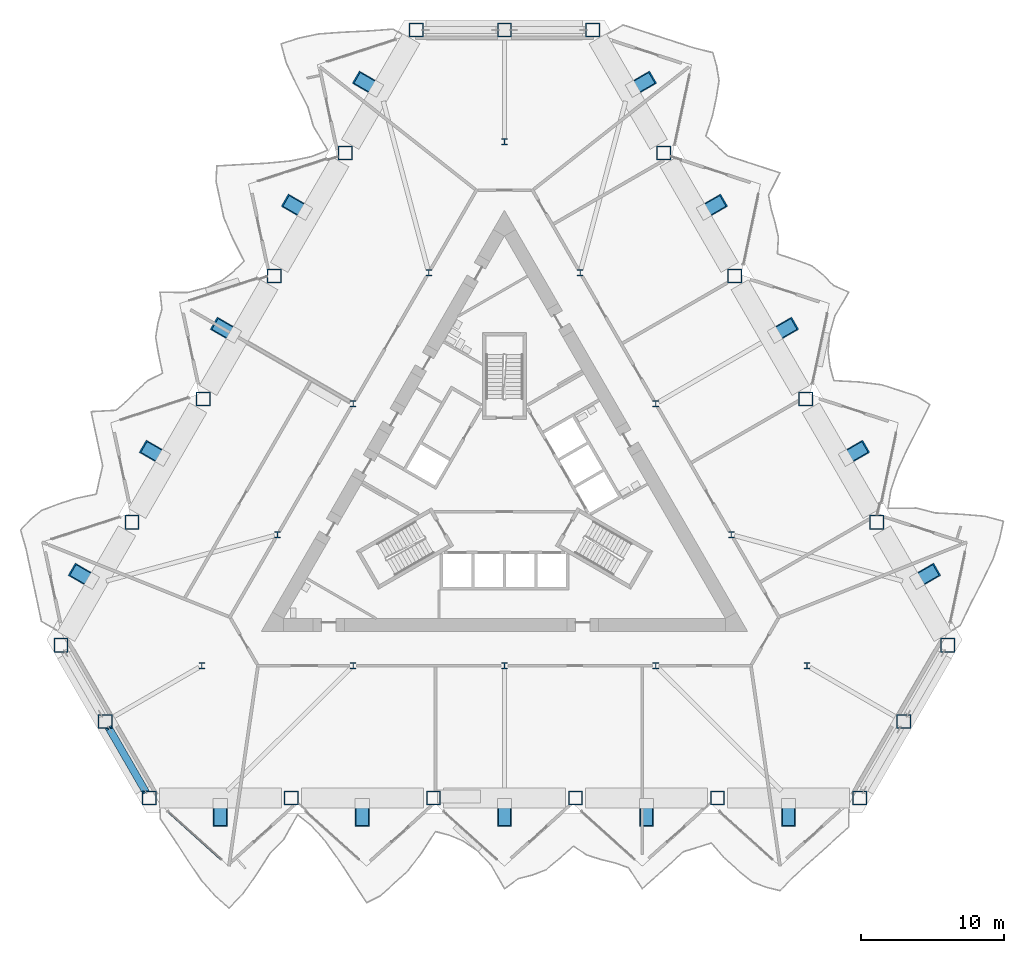
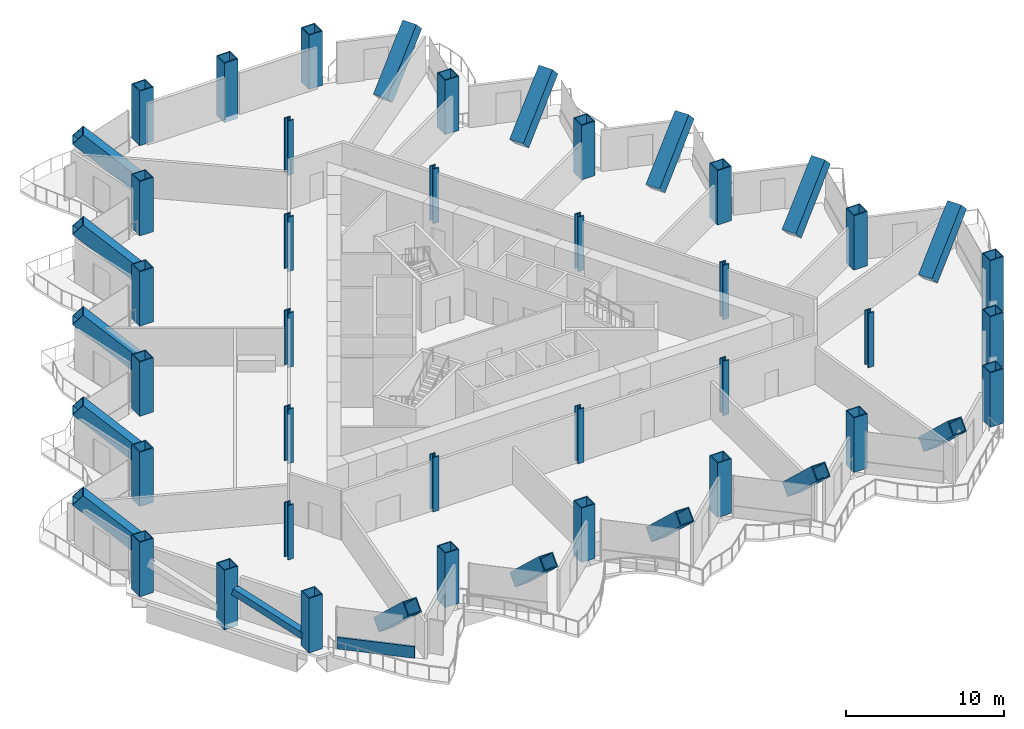
# One storey, part 1 of 22: 48 columns, 2 members, 1 element without a shape of its own.
"""IFC4 building model written with IfcOpenShell, lengths in metres."""

from ifc_helpers import new_model, si_unit, direction, frame, origin, origin_2d, place, context, subcontext, project, spatial, rectangle, hollow_rectangle, i_section, extrude, material, layer, layer_set, material_profile, profile_set, type_object, element, aggregate, save


model = new_model("IFC4")

# Units and contexts
model_context = context("Model", 3, precision=1e-05, world=origin(), true_north=direction((0.0, 1.0)))
body_context = subcontext(model_context, "Body", "Model", "MODEL_VIEW")
ifc_project = project(units=[si_unit("LENGTHUNIT", "METRE"), si_unit("AREAUNIT", "SQUARE_METRE"), si_unit("VOLUMEUNIT", "CUBIC_METRE"), si_unit("PLANEANGLEUNIT", "RADIAN"), si_unit("MASSUNIT", "GRAM", prefix="KILO")], contexts=[model_context])

# Site, building, storey
site_placement = place(None, origin())
site = spatial("IfcSite", under=ifc_project, at=site_placement, CompositionType="ELEMENT")
building_placement = place(site_placement, origin())
building = spatial("IfcBuilding", under=site, at=building_placement, Name="Cormorant Prow Tower", CompositionType="ELEMENT")
storey_placement = place(building_placement, frame((0.0, 0.0, 30.0)))
storey = spatial("IfcBuildingStorey", under=building, at=storey_placement, Name="L05", CompositionType="ELEMENT", Elevation=30.0)

# Columns
ifc_material_1 = material(Name="Structural steel ASTM A572 Gr 50", Category="steel")
ifc_material_profile_1 = material_profile(ifc_material_1, hollow_rectangle(XDim=1.0, YDim=1.0, WallThickness=0.070068359375, at=origin_2d()), Name="Box 1000x1000x70")
ifc_profile_set_1 = profile_set([ifc_material_profile_1], Name="Structural steel ASTM A572 Gr 50")
column_type_1 = type_object("IfcColumnType", Name="Perimeter box column 1000x1000x70", PredefinedType="COLUMN", material=ifc_profile_set_1)
column_1_placement = place(storey_placement, frame((-24.830322265625, -21.4599609375, 0.0), z_axis=(0.0, 0.0, 1.0), x_axis=(1.0, 0.0, 0.0)))
element("IfcColumn", 1, at=column_1_placement, inside=storey, type_object=column_type_1, Name="Perimeter column C2 at S00 L05", PredefinedType="COLUMN", context=body_context, shape_type="SweptSolid", body=[
    extrude(hollow_rectangle(XDim=1.0, YDim=1.0, WallThickness=0.070068359375, at=origin_2d()), origin(), (0.0, 0.0, 1.0), 4.199951171875),
])
column_2_placement = place(storey_placement, frame((-19.8642578125, -21.4599609375, 0.0), z_axis=(0.0, -0.728887790527, 0.684633178293), x_axis=(1.0, 0.0, 0.0)))
element("IfcColumn", 2, at=column_2_placement, inside=storey, type_object=column_type_1, Name="Perimeter column C2 at S01 L05", PredefinedType="COLUMN", context=body_context, shape_type="SweptSolid", body=[
    extrude(hollow_rectangle(XDim=1.0, YDim=1.0, WallThickness=0.070068359375, at=origin_2d()), frame((0.0, 0.0, 0.5322265625)), (0.0, 0.0, 1.0), 5.070068359375),
])
column_3_placement = place(storey_placement, frame((-14.898193359375, -21.4599609375, 0.0), z_axis=(0.0, 0.0, 1.0), x_axis=(1.0, 0.0, 0.0)))
element("IfcColumn", 3, at=column_3_placement, inside=storey, type_object=column_type_1, Name="Perimeter column C2 at S02 L05", PredefinedType="COLUMN", context=body_context, shape_type="SweptSolid", body=[
    extrude(hollow_rectangle(XDim=1.0, YDim=1.0, WallThickness=0.070068359375, at=origin_2d()), origin(), (0.0, 0.0, 1.0), 4.199951171875),
])
column_4_placement = place(storey_placement, frame((-9.93212890625, -21.4599609375, 0.0), z_axis=(0.0, -0.728887790527, 0.684633178293), x_axis=(1.0, 0.0, 0.0)))
element("IfcColumn", 4, at=column_4_placement, inside=storey, type_object=column_type_1, Name="Perimeter column C2 at S03 L05", PredefinedType="COLUMN", context=body_context, shape_type="SweptSolid", body=[
    extrude(hollow_rectangle(XDim=1.0, YDim=1.0, WallThickness=0.070068359375, at=origin_2d()), frame((0.0, 0.0, 0.5322265625)), (0.0, 0.0, 1.0), 5.070068359375),
])
column_5_placement = place(storey_placement, frame((-4.966064453125, -21.4599609375, 0.0), z_axis=(0.0, 0.0, 1.0), x_axis=(1.0, 0.0, 0.0)))
element("IfcColumn", 5, at=column_5_placement, inside=storey, type_object=column_type_1, Name="Perimeter column C2 at S04 L05", PredefinedType="COLUMN", context=body_context, shape_type="SweptSolid", body=[
    extrude(hollow_rectangle(XDim=1.0, YDim=1.0, WallThickness=0.070068359375, at=origin_2d()), origin(), (0.0, 0.0, 1.0), 4.199951171875),
])
column_6_placement = place(storey_placement, frame((0.0, -21.4599609375, 0.0), z_axis=(0.0, -0.728887790527, 0.684633178293), x_axis=(1.0, 0.0, 0.0)))
element("IfcColumn", 6, at=column_6_placement, inside=storey, type_object=column_type_1, Name="Perimeter column C2 at S05 L05", PredefinedType="COLUMN", context=body_context, shape_type="SweptSolid", body=[
    extrude(hollow_rectangle(XDim=1.0, YDim=1.0, WallThickness=0.070068359375, at=origin_2d()), frame((0.0, 0.0, 0.5322265625)), (0.0, 0.0, 1.0), 5.070068359375),
])
column_7_placement = place(storey_placement, frame((4.966064453125, -21.4599609375, 0.0), z_axis=(0.0, 0.0, 1.0), x_axis=(1.0, 0.0, 0.0)))
element("IfcColumn", 7, at=column_7_placement, inside=storey, type_object=column_type_1, Name="Perimeter column C2 at S06 L05", PredefinedType="COLUMN", context=body_context, shape_type="SweptSolid", body=[
    extrude(hollow_rectangle(XDim=1.0, YDim=1.0, WallThickness=0.070068359375, at=origin_2d()), origin(), (0.0, 0.0, 1.0), 4.199951171875),
])
column_8_placement = place(storey_placement, frame((9.93212890625, -21.4599609375, 0.0), z_axis=(0.0, -0.728887790527, 0.684633178293), x_axis=(1.0, 0.0, 0.0)))
element("IfcColumn", 8, at=column_8_placement, inside=storey, type_object=column_type_1, Name="Perimeter column C2 at S07 L05", PredefinedType="COLUMN", context=body_context, shape_type="SweptSolid", body=[
    extrude(hollow_rectangle(XDim=1.0, YDim=1.0, WallThickness=0.070068359375, at=origin_2d()), frame((0.0, 0.0, 0.5322265625)), (0.0, 0.0, 1.0), 5.070068359375),
])
column_9_placement = place(storey_placement, frame((14.898193359375, -21.4599609375, 0.0), z_axis=(0.0, 0.0, 1.0), x_axis=(1.0, 0.0, 0.0)))
element("IfcColumn", 9, at=column_9_placement, inside=storey, type_object=column_type_1, Name="Perimeter column C2 at S08 L05", PredefinedType="COLUMN", context=body_context, shape_type="SweptSolid", body=[
    extrude(hollow_rectangle(XDim=1.0, YDim=1.0, WallThickness=0.070068359375, at=origin_2d()), origin(), (0.0, 0.0, 1.0), 4.199951171875),
])
column_10_placement = place(storey_placement, frame((19.8642578125, -21.4599609375, 0.0), z_axis=(0.0, -0.728887790527, 0.684633178293), x_axis=(1.0, 0.0, 0.0)))
element("IfcColumn", 10, at=column_10_placement, inside=storey, type_object=column_type_1, Name="Perimeter column C2 at S09 L05", PredefinedType="COLUMN", context=body_context, shape_type="SweptSolid", body=[
    extrude(hollow_rectangle(XDim=1.0, YDim=1.0, WallThickness=0.070068359375, at=origin_2d()), frame((0.0, 0.0, 0.5322265625)), (0.0, 0.0, 1.0), 5.070068359375),
])
column_11_placement = place(storey_placement, frame((24.830322265625, -21.4599609375, 0.0), z_axis=(0.0, 0.0, 1.0), x_axis=(1.0, 0.0, 0.0)))
element("IfcColumn", 11, at=column_11_placement, inside=storey, type_object=column_type_1, Name="Perimeter column C2 at ESE00 L05", PredefinedType="COLUMN", context=body_context, shape_type="SweptSolid", body=[
    extrude(hollow_rectangle(XDim=1.0, YDim=1.0, WallThickness=0.070068359375, at=origin_2d()), origin(), (0.0, 0.0, 1.0), 4.199951171875),
])
column_12_placement = place(storey_placement, frame((27.915283203125, -16.116943359375, -0.39990234375), z_axis=(0.0, 0.0, 1.0), x_axis=(1.0, 0.0, 0.0)))
element("IfcColumn", 12, at=column_12_placement, inside=storey, type_object=column_type_1, Name="Perimeter column C2 at ESE01 L05", PredefinedType="COLUMN", context=body_context, shape_type="SweptSolid", body=[
    extrude(hollow_rectangle(XDim=1.0, YDim=1.0, WallThickness=0.070068359375, at=origin_2d()), origin(), (0.0, 0.0, 1.0), 4.599853515625),
])
column_13_placement = place(storey_placement, frame((31.0, -10.773681640625, 0.0), z_axis=(0.0, 0.0, 1.0), x_axis=(1.0, 0.0, 0.0)))
element("IfcColumn", 13, at=column_13_placement, inside=storey, type_object=column_type_1, Name="Perimeter column C2 at ENE00 L05", PredefinedType="COLUMN", context=body_context, shape_type="SweptSolid", body=[
    extrude(hollow_rectangle(XDim=1.0, YDim=1.0, WallThickness=0.070068359375, at=origin_2d()), origin(), (0.0, 0.0, 1.0), 4.199951171875),
])
column_14_placement = place(storey_placement, frame((28.516845703125, -6.472900390625, 0.0), z_axis=(0.631257748816, 0.364419821328, 0.684625334313), x_axis=(-0.499961918033, 0.866047389302, 0.0)))
element("IfcColumn", 14, at=column_14_placement, inside=storey, type_object=column_type_1, Name="Perimeter column C2 at ENE01 L05", PredefinedType="COLUMN", context=body_context, shape_type="SweptSolid", body=[
    extrude(hollow_rectangle(XDim=1.0, YDim=1.0, WallThickness=0.070068359375, at=origin_2d()), frame((0.0, 0.0, 0.5322265625)), (0.0, 0.0, 1.0), 5.070068359375),
])
column_15_placement = place(storey_placement, frame((26.033935546875, -2.17236328125, 0.0), z_axis=(0.0, 0.0, 1.0), x_axis=(1.0, 0.0, 0.0)))
element("IfcColumn", 15, at=column_15_placement, inside=storey, type_object=column_type_1, Name="Perimeter column C2 at ENE02 L05", PredefinedType="COLUMN", context=body_context, shape_type="SweptSolid", body=[
    extrude(hollow_rectangle(XDim=1.0, YDim=1.0, WallThickness=0.070068359375, at=origin_2d()), origin(), (0.0, 0.0, 1.0), 4.199951171875),
])
column_16_placement = place(storey_placement, frame((23.55078125, 2.12841796875, 0.0), z_axis=(0.631248593533, 0.36445433234, 0.684615405028), x_axis=(-0.500002867593, 0.866023748172, 0.0)))
element("IfcColumn", 16, at=column_16_placement, inside=storey, type_object=column_type_1, Name="Perimeter column C2 at ENE03 L05", PredefinedType="COLUMN", context=body_context, shape_type="SweptSolid", body=[
    extrude(hollow_rectangle(XDim=1.0, YDim=1.0, WallThickness=0.070068359375, at=origin_2d()), frame((0.0, 0.0, 0.5322265625)), (0.0, 0.0, 1.0), 5.070068359375),
])
column_17_placement = place(storey_placement, frame((21.06787109375, 6.42919921875, 0.0), z_axis=(0.0, 0.0, 1.0), x_axis=(1.0, 0.0, 0.0)))
element("IfcColumn", 17, at=column_17_placement, inside=storey, type_object=column_type_1, Name="Perimeter column C2 at ENE04 L05", PredefinedType="COLUMN", context=body_context, shape_type="SweptSolid", body=[
    extrude(hollow_rectangle(XDim=1.0, YDim=1.0, WallThickness=0.070068359375, at=origin_2d()), origin(), (0.0, 0.0, 1.0), 4.199951171875),
])
column_18_placement = place(storey_placement, frame((18.584716796875, 10.72998046875, 0.0), z_axis=(0.631257748816, 0.364419821328, 0.684625334313), x_axis=(-0.499961918033, 0.866047389302, 0.0)))
element("IfcColumn", 18, at=column_18_placement, inside=storey, type_object=column_type_1, Name="Perimeter column C2 at ENE05 L05", PredefinedType="COLUMN", context=body_context, shape_type="SweptSolid", body=[
    extrude(hollow_rectangle(XDim=1.0, YDim=1.0, WallThickness=0.070068359375, at=origin_2d()), frame((0.0, 0.0, 0.5322265625)), (0.0, 0.0, 1.0), 5.070068359375),
])
column_19_placement = place(storey_placement, frame((16.101806640625, 15.03076171875, 0.0), z_axis=(0.0, 0.0, 1.0), x_axis=(1.0, 0.0, 0.0)))
element("IfcColumn", 19, at=column_19_placement, inside=storey, type_object=column_type_1, Name="Perimeter column C2 at ENE06 L05", PredefinedType="COLUMN", context=body_context, shape_type="SweptSolid", body=[
    extrude(hollow_rectangle(XDim=1.0, YDim=1.0, WallThickness=0.070068359375, at=origin_2d()), origin(), (0.0, 0.0, 1.0), 4.199951171875),
])
column_20_placement = place(storey_placement, frame((13.61865234375, 19.33154296875, 0.0), z_axis=(0.631257748816, 0.364419821328, 0.684625334313), x_axis=(-0.499961918033, 0.866047389302, 0.0)))
element("IfcColumn", 20, at=column_20_placement, inside=storey, type_object=column_type_1, Name="Perimeter column C2 at ENE07 L05", PredefinedType="COLUMN", context=body_context, shape_type="SweptSolid", body=[
    extrude(hollow_rectangle(XDim=1.0, YDim=1.0, WallThickness=0.070068359375, at=origin_2d()), frame((0.0, 0.0, 0.5322265625)), (0.0, 0.0, 1.0), 5.070068359375),
])
column_21_placement = place(storey_placement, frame((11.1357421875, 23.632080078125, 0.0), z_axis=(0.0, 0.0, 1.0), x_axis=(1.0, 0.0, 0.0)))
element("IfcColumn", 21, at=column_21_placement, inside=storey, type_object=column_type_1, Name="Perimeter column C2 at ENE08 L05", PredefinedType="COLUMN", context=body_context, shape_type="SweptSolid", body=[
    extrude(hollow_rectangle(XDim=1.0, YDim=1.0, WallThickness=0.070068359375, at=origin_2d()), origin(), (0.0, 0.0, 1.0), 4.199951171875),
])
column_22_placement = place(storey_placement, frame((8.652587890625, 27.932861328125, 0.0), z_axis=(0.631248593533, 0.36445433234, 0.684615405028), x_axis=(-0.500002867593, 0.866023748172, 0.0)))
element("IfcColumn", 22, at=column_22_placement, inside=storey, type_object=column_type_1, Name="Perimeter column C2 at ENE09 L05", PredefinedType="COLUMN", context=body_context, shape_type="SweptSolid", body=[
    extrude(hollow_rectangle(XDim=1.0, YDim=1.0, WallThickness=0.070068359375, at=origin_2d()), frame((0.0, 0.0, 0.5322265625)), (0.0, 0.0, 1.0), 5.070068359375),
])
column_23_placement = place(storey_placement, frame((6.169677734375, 32.233642578125, 0.0), z_axis=(0.0, 0.0, 1.0), x_axis=(1.0, 0.0, 0.0)))
element("IfcColumn", 23, at=column_23_placement, inside=storey, type_object=column_type_1, Name="Perimeter column C2 at N00 L05", PredefinedType="COLUMN", context=body_context, shape_type="SweptSolid", body=[
    extrude(hollow_rectangle(XDim=1.0, YDim=1.0, WallThickness=0.070068359375, at=origin_2d()), origin(), (0.0, 0.0, 1.0), 4.199951171875),
])
column_24_placement = place(storey_placement, frame((0.0, 32.233642578125, -0.39990234375), z_axis=(0.0, 0.0, 1.0), x_axis=(1.0, 0.0, 0.0)))
element("IfcColumn", 24, at=column_24_placement, inside=storey, type_object=column_type_1, Name="Perimeter column C2 at N01 L05", PredefinedType="COLUMN", context=body_context, shape_type="SweptSolid", body=[
    extrude(hollow_rectangle(XDim=1.0, YDim=1.0, WallThickness=0.070068359375, at=origin_2d()), origin(), (0.0, 0.0, 1.0), 4.599853515625),
])
column_25_placement = place(storey_placement, frame((-6.169677734375, 32.233642578125, 0.0), z_axis=(0.0, 0.0, 1.0), x_axis=(1.0, 0.0, 0.0)))
element("IfcColumn", 25, at=column_25_placement, inside=storey, type_object=column_type_1, Name="Perimeter column C2 at WNW00 L05", PredefinedType="COLUMN", context=body_context, shape_type="SweptSolid", body=[
    extrude(hollow_rectangle(XDim=1.0, YDim=1.0, WallThickness=0.070068359375, at=origin_2d()), origin(), (0.0, 0.0, 1.0), 4.199951171875),
])
column_26_placement = place(storey_placement, frame((-8.652587890625, 27.932861328125, 0.0), z_axis=(-0.631248593533, 0.36445433234, 0.684615405028), x_axis=(-0.500002867593, -0.866023748172, 0.0)))
element("IfcColumn", 26, at=column_26_placement, inside=storey, type_object=column_type_1, Name="Perimeter column C2 at WNW01 L05", PredefinedType="COLUMN", context=body_context, shape_type="SweptSolid", body=[
    extrude(hollow_rectangle(XDim=1.0, YDim=1.0, WallThickness=0.070068359375, at=origin_2d()), frame((0.0, 0.0, 0.5322265625)), (0.0, 0.0, 1.0), 5.070068359375),
])
column_27_placement = place(storey_placement, frame((-11.1357421875, 23.632080078125, 0.0), z_axis=(0.0, 0.0, 1.0), x_axis=(1.0, 0.0, 0.0)))
element("IfcColumn", 27, at=column_27_placement, inside=storey, type_object=column_type_1, Name="Perimeter column C2 at WNW02 L05", PredefinedType="COLUMN", context=body_context, shape_type="SweptSolid", body=[
    extrude(hollow_rectangle(XDim=1.0, YDim=1.0, WallThickness=0.070068359375, at=origin_2d()), origin(), (0.0, 0.0, 1.0), 4.199951171875),
])
column_28_placement = place(storey_placement, frame((-13.61865234375, 19.33154296875, 0.0), z_axis=(-0.631257748816, 0.364419821328, 0.684625334313), x_axis=(-0.499961918033, -0.866047389302, 0.0)))
element("IfcColumn", 28, at=column_28_placement, inside=storey, type_object=column_type_1, Name="Perimeter column C2 at WNW03 L05", PredefinedType="COLUMN", context=body_context, shape_type="SweptSolid", body=[
    extrude(hollow_rectangle(XDim=1.0, YDim=1.0, WallThickness=0.070068359375, at=origin_2d()), frame((0.0, 0.0, 0.5322265625)), (0.0, 0.0, 1.0), 5.070068359375),
])
column_29_placement = place(storey_placement, frame((-16.101806640625, 15.03076171875, 0.0), z_axis=(0.0, 0.0, 1.0), x_axis=(1.0, 0.0, 0.0)))
element("IfcColumn", 29, at=column_29_placement, inside=storey, type_object=column_type_1, Name="Perimeter column C2 at WNW04 L05", PredefinedType="COLUMN", context=body_context, shape_type="SweptSolid", body=[
    extrude(hollow_rectangle(XDim=1.0, YDim=1.0, WallThickness=0.070068359375, at=origin_2d()), origin(), (0.0, 0.0, 1.0), 4.199951171875),
])
column_30_placement = place(storey_placement, frame((-18.584716796875, 10.72998046875, 0.0), z_axis=(-0.631257748816, 0.364419821328, 0.684625334313), x_axis=(-0.499961918033, -0.866047389302, 0.0)))
element("IfcColumn", 30, at=column_30_placement, inside=storey, type_object=column_type_1, Name="Perimeter column C2 at WNW05 L05", PredefinedType="COLUMN", context=body_context, shape_type="SweptSolid", body=[
    extrude(hollow_rectangle(XDim=1.0, YDim=1.0, WallThickness=0.070068359375, at=origin_2d()), frame((0.0, 0.0, 0.5322265625)), (0.0, 0.0, 1.0), 5.070068359375),
])
column_31_placement = place(storey_placement, frame((-21.06787109375, 6.42919921875, 0.0), z_axis=(0.0, 0.0, 1.0), x_axis=(1.0, 0.0, 0.0)))
element("IfcColumn", 31, at=column_31_placement, inside=storey, type_object=column_type_1, Name="Perimeter column C2 at WNW06 L05", PredefinedType="COLUMN", context=body_context, shape_type="SweptSolid", body=[
    extrude(hollow_rectangle(XDim=1.0, YDim=1.0, WallThickness=0.070068359375, at=origin_2d()), origin(), (0.0, 0.0, 1.0), 4.199951171875),
])
column_32_placement = place(storey_placement, frame((-23.55078125, 2.12841796875, 0.0), z_axis=(-0.631248593533, 0.36445433234, 0.684615405028), x_axis=(-0.500002867593, -0.866023748172, 0.0)))
element("IfcColumn", 32, at=column_32_placement, inside=storey, type_object=column_type_1, Name="Perimeter column C2 at WNW07 L05", PredefinedType="COLUMN", context=body_context, shape_type="SweptSolid", body=[
    extrude(hollow_rectangle(XDim=1.0, YDim=1.0, WallThickness=0.070068359375, at=origin_2d()), frame((0.0, 0.0, 0.5322265625)), (0.0, 0.0, 1.0), 5.070068359375),
])
column_33_placement = place(storey_placement, frame((-26.033935546875, -2.17236328125, 0.0), z_axis=(0.0, 0.0, 1.0), x_axis=(1.0, 0.0, 0.0)))
element("IfcColumn", 33, at=column_33_placement, inside=storey, type_object=column_type_1, Name="Perimeter column C2 at WNW08 L05", PredefinedType="COLUMN", context=body_context, shape_type="SweptSolid", body=[
    extrude(hollow_rectangle(XDim=1.0, YDim=1.0, WallThickness=0.070068359375, at=origin_2d()), origin(), (0.0, 0.0, 1.0), 4.199951171875),
])
column_34_placement = place(storey_placement, frame((-28.516845703125, -6.472900390625, 0.0), z_axis=(-0.631257748816, 0.364419821328, 0.684625334313), x_axis=(-0.499961918033, -0.866047389302, 0.0)))
element("IfcColumn", 34, at=column_34_placement, inside=storey, type_object=column_type_1, Name="Perimeter column C2 at WNW09 L05", PredefinedType="COLUMN", context=body_context, shape_type="SweptSolid", body=[
    extrude(hollow_rectangle(XDim=1.0, YDim=1.0, WallThickness=0.070068359375, at=origin_2d()), frame((0.0, 0.0, 0.5322265625)), (0.0, 0.0, 1.0), 5.070068359375),
])
column_35_placement = place(storey_placement, frame((-31.0, -10.773681640625, 0.0), z_axis=(0.0, 0.0, 1.0), x_axis=(1.0, 0.0, 0.0)))
element("IfcColumn", 35, at=column_35_placement, inside=storey, type_object=column_type_1, Name="Perimeter column C2 at WSW00 L05", PredefinedType="COLUMN", context=body_context, shape_type="SweptSolid", body=[
    extrude(hollow_rectangle(XDim=1.0, YDim=1.0, WallThickness=0.070068359375, at=origin_2d()), origin(), (0.0, 0.0, 1.0), 4.199951171875),
])
column_36_placement = place(storey_placement, frame((-27.915283203125, -16.116943359375, -0.39990234375), z_axis=(0.0, 0.0, 1.0), x_axis=(1.0, 0.0, 0.0)))
element("IfcColumn", 36, at=column_36_placement, inside=storey, type_object=column_type_1, Name="Perimeter column C2 at WSW01 L05", PredefinedType="COLUMN", context=body_context, shape_type="SweptSolid", body=[
    extrude(hollow_rectangle(XDim=1.0, YDim=1.0, WallThickness=0.070068359375, at=origin_2d()), origin(), (0.0, 0.0, 1.0), 4.599853515625),
])
ifc_material_2 = material(Name="Structural steel ASTM A992 Gr 50", Category="steel")
ifc_material_profile_2 = material_profile(ifc_material_2, i_section(OverallWidth=0.42138671875, OverallDepth=0.464599609375, WebThickness=0.044921875, FlangeThickness=0.072265625, at=origin_2d()), Name="W14x398")
ifc_profile_set_2 = profile_set([ifc_material_profile_2], Name="Structural steel ASTM A992 Gr 50")
column_type_2 = type_object("IfcColumnType", Name="Ring column W14x398", PredefinedType="COLUMN", material=ifc_profile_set_2)
for number, where, z_axis, x_axis, name in (
    (37, (0.0, 24.429931640625, 0.0), (0.0, 0.0, 1.0), (1.0, 0.0, 0.0), "Ring column 1 L05"),
    (38, (-5.289306640625, 15.268798828125, 0.0), (0.0, 0.0, 1.0), (1.0, 0.0, 0.0), "Ring column 2 L05"),
    (39, (-10.578369140625, 6.107421875, 0.0), (0.0, 0.0, 1.0), (1.0, 0.0, 0.0), "Ring column 3 L05"),
    (40, (-15.86767578125, -3.0537109375, 0.0), (0.0, 0.0, 1.0), (1.0, 0.0, 0.0), "Ring column 4 L05"),
    (41, (-21.156982421875, -12.21484375, 0.0), (0.0, 0.0, 1.0), (1.0, 0.0, 0.0), "Ring column 5 L05"),
    (42, (-10.578369140625, -12.21484375, 0.0), (0.0, 0.0, 1.0), (1.0, 0.0, 0.0), "Ring column 6 L05"),
    (43, (0.0, -12.21484375, 0.0), (0.0, 0.0, 1.0), (1.0, 0.0, 0.0), "Ring column 7 L05"),
    (44, (10.578369140625, -12.21484375, 0.0), (0.0, 0.0, 1.0), (1.0, 0.0, 0.0), "Ring column 8 L05"),
    (45, (21.156982421875, -12.21484375, 0.0), (0.0, 0.0, 1.0), (1.0, 0.0, 0.0), "Ring column 9 L05"),
    (46, (15.86767578125, -3.0537109375, 0.0), (0.0, 0.0, 1.0), (1.0, 0.0, 0.0), "Ring column 10 L05"),
    (47, (10.578369140625, 6.107421875, 0.0), (0.0, 0.0, 1.0), (1.0, 0.0, 0.0), "Ring column 11 L05"),
    (48, (5.289306640625, 15.268798828125, 0.0), (0.0, 0.0, 1.0), (1.0, 0.0, 0.0), "Ring column 12 L05"),
):
    element("IfcColumn", number, at=place(storey_placement, frame(where, z_axis=z_axis, x_axis=x_axis)), inside=storey, type_object=column_type_2, Name=name, PredefinedType="COLUMN", context=body_context, shape_type="SweptSolid", body=[
        extrude(i_section(OverallWidth=0.42138671875, OverallDepth=0.464599609375, WebThickness=0.044921875, FlangeThickness=0.072265625, at=origin_2d()), origin(), (0.0, 0.0, 1.0), 4.199951171875),
    ])

# Member
ifc_material_3 = material(Name="Structural steel ASTM A500 Gr C", Category="steel")
ifc_material_profile_3 = material_profile(ifc_material_3, hollow_rectangle(XDim=0.508056640625, YDim=0.508056640625, WallThickness=0.014892578125, at=origin_2d()), Name="HSS20x20x5/8")
ifc_profile_set_3 = profile_set([ifc_material_profile_3], Name="Structural steel ASTM A500 Gr C")
member_type_1 = type_object("IfcMemberType", Name="Chamfer brace HSS20x20x5/8", PredefinedType="BRACE", material=ifc_profile_set_3)
member_1_placement = place(storey_placement, frame((-25.089599609375, -21.0107421875, 0.767333984375), z_axis=(-0.475899695849, 0.824255918841, 0.306792535351), x_axis=(-0.866018434186, -0.500012071504, 0.0)))
element("IfcMember", 49, at=member_1_placement, inside=storey, type_object=member_type_1, Name="Chamfer brace BR1 at WSW01 L05", PredefinedType="BRACE", context=body_context, shape_type="SweptSolid", body=[
    extrude(hollow_rectangle(XDim=0.508056640625, YDim=0.508056640625, WallThickness=0.014892578125, at=origin_2d()), origin(), (0.0, 0.0, 1.0), 5.392333984375),
])

# Curtain wall, member
ifc_material_4 = material(Name="Aluminium 6063-T6", Category="aluminium")
ifc_layer = layer(ifc_material_4, 0.199951171875)
ifc_layer_set = layer_set([ifc_layer], Name="Aluminium 6063-T6")
curtain_wall_type = type_object("IfcCurtainWallType", Name="Office unitised curtain wall 200", PredefinedType="NOTDEFINED", material=ifc_layer_set)
curtain_wall_placement = place(storey_placement, origin())
curtain_wall = element("IfcCurtainWall", 50, at=curtain_wall_placement, inside=storey, type_object=curtain_wall_type, Name="Office curtain wall S00", PredefinedType="NOTDEFINED")
ifc_material_5 = material(Name="Terracotta", Category="masonry")
ifc_material_profile_4 = material_profile(ifc_material_5, rectangle(XDim=0.159912109375, YDim=0.89990234375, at=origin_2d()), Name="Office terracotta spandrel rail 160x900")
ifc_profile_set_4 = profile_set([ifc_material_profile_4], Name="Terracotta")
member_type_2 = type_object("IfcMemberType", Name="Office terracotta spandrel rail 160x900", PredefinedType="USERDEFINED", material=ifc_profile_set_4)
member_2_placement = place(storey_placement, frame((-23.520751953125, -22.399169921875, 0.449951171875), z_axis=(0.743124733633, -0.669152919938, 0.0), x_axis=(0.669152919938, 0.743124733633, 0.0)))
member_2 = element("IfcMember", 51, at=member_2_placement, type_object=member_type_2, Name="Office spandrel rail S00", ObjectType="TRANSOM", PredefinedType="USERDEFINED", context=body_context, shape_type="SweptSolid", body=[
    extrude(rectangle(XDim=0.159912109375, YDim=0.89990234375, at=origin_2d()), origin(), (0.0, 0.0, 1.0), 5.0166015625),
])
aggregate(curtain_wall, [member_2])

save(model, "model.ifc")
